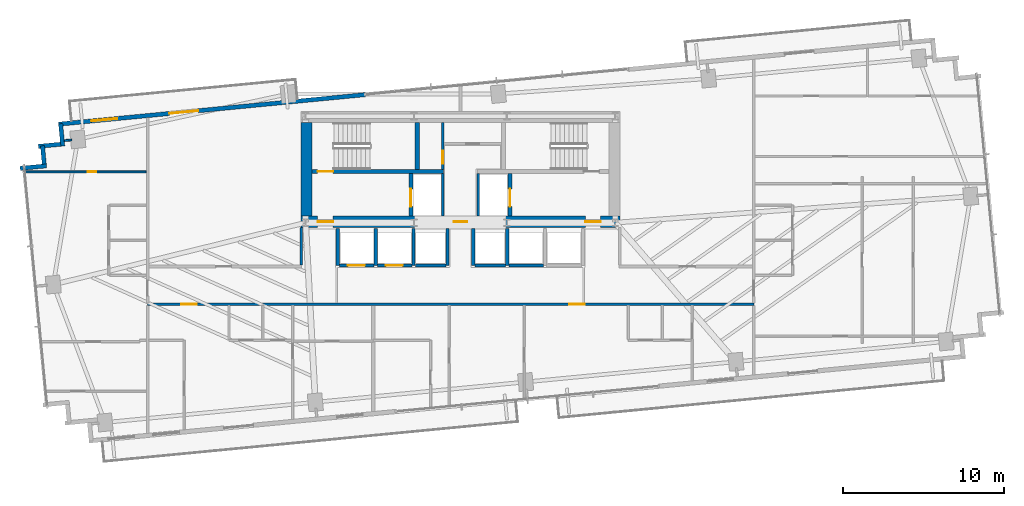
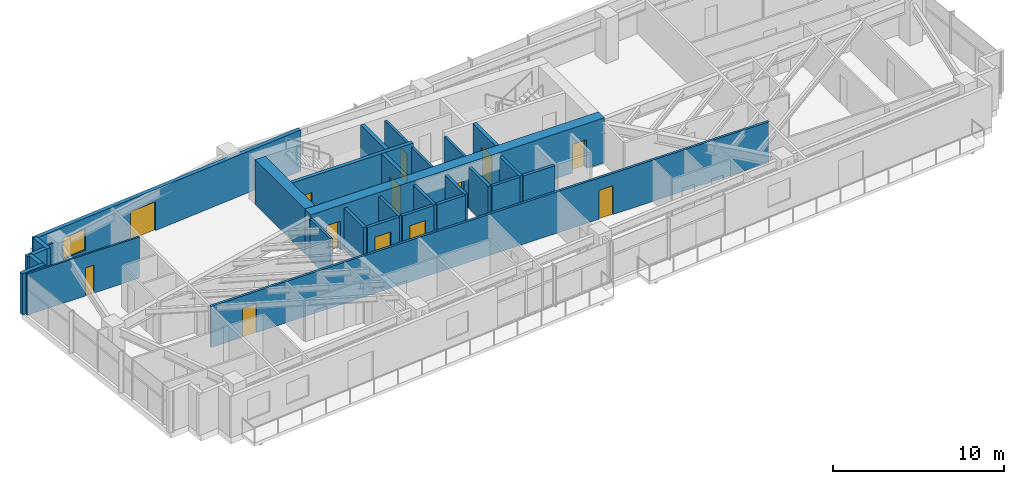
# One storey, part 20 of 25: 29 walls, 13 doors, 1 window, 14 openings.
"""IFC4 building model written with IfcOpenShell, lengths in metres."""

from ifc_helpers import new_model, si_unit, direction, frame, frame_2d, origin, place, context, subcontext, project, spatial, rectangle, extrude, source, transform, mapped, material, layer, layer_set, type_object, type_shapes, element, fill, save


model = new_model("IFC4")

# Units and contexts
model_context = context("Model", 3, precision=1e-05, world=origin(), true_north=direction((0.0, 1.0)))
body_context = subcontext(model_context, "Body", "Model", "MODEL_VIEW")
ifc_project = project(units=[si_unit("LENGTHUNIT", "METRE"), si_unit("AREAUNIT", "SQUARE_METRE"), si_unit("VOLUMEUNIT", "CUBIC_METRE"), si_unit("PLANEANGLEUNIT", "RADIAN"), si_unit("MASSUNIT", "GRAM", prefix="KILO")], contexts=[model_context])

# Site, building, storey
site_placement = place(None, origin())
site = spatial("IfcSite", under=ifc_project, at=site_placement, CompositionType="ELEMENT")
building_placement = place(site_placement, origin())
building = spatial("IfcBuilding", under=site, at=building_placement, Name="Astriad Promenade Condominiums", CompositionType="ELEMENT")
storey_placement = place(building_placement, frame((0.0, 0.0, 77.800048828125)))
storey = spatial("IfcBuildingStorey", under=building, at=storey_placement, Name="L21", CompositionType="ELEMENT", Elevation=77.800048828125)

# Wall, openings, doors
ifc_material_1 = material(Name="Concrete C60/75", Category="concrete")
ifc_layer_1 = layer(ifc_material_1, 0.699951171875)
ifc_layer_set_1 = layer_set([ifc_layer_1], Name="Concrete C60/75")
wall_type_1 = type_object("IfcWallType", Name="CW-SHEAR-700", PredefinedType="SHEAR", material=ifc_layer_set_1)
wall_1_placement = place(storey_placement, frame((26.10009765625, 17.449951171875, 0.0), z_axis=(0.0, 0.0, 1.0), x_axis=(1.0, 0.0, 0.0)))
wall_1 = element("IfcWall", 1, at=wall_1_placement, inside=storey, type_object=wall_type_1, Name="CW-CORE-S-L21", PredefinedType="SHEAR", context=body_context, shape_type="SweptSolid", body=[
    extrude(rectangle(XDim=19.7998046875, YDim=0.699951171875, at=frame_2d((9.89990234375, 0.0))), origin(), (0.0, 0.0, 1.0), 3.199951171875),
])
opening_1_placement = place(wall_1_placement, frame((1.050048828125, 0.0, 0.0)))
opening_1 = element("IfcOpeningElement", 2, at=opening_1_placement, cuts=wall_1, Name="Opening FD90-ST-095", PredefinedType="OPENING", context=body_context, shape_type="SweptSolid", body=[
    extrude(rectangle(XDim=0.949951171875, YDim=2.06005859375, at=frame_2d((0.47509765625, 1.030029296875))), frame((0.0, 0.35986328125, 0.0), z_axis=(0.0, -1.0, 0.0), x_axis=(1.0, 0.0, 0.0)), (0.0, 0.0, 1.0), 0.719970703125),
])
opening_2_placement = place(wall_1_placement, frame((9.47998046875, 0.0, 0.0)))
opening_2 = element("IfcOpeningElement", 3, at=opening_2_placement, cuts=wall_1, Name="Opening FD60-ULOW-085", PredefinedType="OPENING", context=body_context, shape_type="SweptSolid", body=[
    extrude(rectangle(XDim=0.85009765625, YDim=2.0, at=frame_2d((0.425048828125, 1.0))), frame((0.0, 0.35986328125, 0.0), z_axis=(0.0, -1.0, 0.0), x_axis=(1.0, 0.0, 0.0)), (0.0, 0.0, 1.0), 0.719970703125),
])
opening_3_placement = place(wall_1_placement, frame((17.64990234375, 0.0, 0.0)))
opening_3 = element("IfcOpeningElement", 4, at=opening_3_placement, cuts=wall_1, Name="Opening FD90-ST-095", PredefinedType="OPENING", context=body_context, shape_type="SweptSolid", body=[
    extrude(rectangle(XDim=0.949951171875, YDim=2.06005859375, at=frame_2d((0.47509765625, 1.030029296875))), frame((0.0, 0.35986328125, 0.0), z_axis=(0.0, -1.0, 0.0), x_axis=(1.0, 0.0, 0.0)), (0.0, 0.0, 1.0), 0.719970703125),
])
ifc_material_2 = material(Name="Fire-Rated Hollow Metal Stair Door")
door_type_1 = type_object("IfcDoorType", Name="FD90-ST-095", OperationType="NOTDEFINED", PredefinedType="DOOR", material=ifc_material_2)
shared_shape_1 = source(origin(), body_context, "Body", "SweptSolid", [
    extrude(rectangle(XDim=0.949951171875, YDim=2.06005859375, at=frame_2d((0.47509765625, 1.030029296875))), frame((0.0, 0.02490234375, 0.0), z_axis=(0.0, -1.0, 0.0), x_axis=(1.0, 0.0, 0.0)), (0.0, 0.0, 1.0), 0.050048828125),
])
type_shapes(door_type_1, [shared_shape_1])
door_1_placement = place(opening_1_placement, origin())
door_1 = element("IfcDoor", 5, at=door_1_placement, inside=storey, type_object=door_type_1, Name="D-FFW-L21", OperationType="SINGLE_SWING_LEFT", OverallHeight=2.06005859375, OverallWidth=0.949951171875, PredefinedType="DOOR", context=body_context, shape_type="MappedRepresentation", body=[
    mapped(shared_shape_1, transform((0.0, 0.0, 0.0), scale=1.0)),
])
fill(opening_1, door_1)
door_2_placement = place(opening_3_placement, origin())
door_2 = element("IfcDoor", 6, at=door_2_placement, inside=storey, type_object=door_type_1, Name="D-FFE-L21", OperationType="SINGLE_SWING_RIGHT", OverallHeight=2.06005859375, OverallWidth=0.949951171875, PredefinedType="DOOR", context=body_context, shape_type="MappedRepresentation", body=[
    mapped(shared_shape_1, transform((0.0, 0.0, 0.0), scale=1.0)),
])
fill(opening_3, door_2)
ifc_material_3 = material(Name="Solid-Core Low-Headroom Fire Door")
door_type_2 = type_object("IfcDoorType", Name="FD60-ULOW-085", OperationType="NOTDEFINED", PredefinedType="DOOR", material=ifc_material_3)
shared_shape_2 = source(origin(), body_context, "Body", "SweptSolid", [
    extrude(rectangle(XDim=0.85009765625, YDim=2.0, at=frame_2d((0.425048828125, 1.0))), frame((0.0, 0.02490234375, 0.0), z_axis=(0.0, -1.0, 0.0), x_axis=(1.0, 0.0, 0.0)), (0.0, 0.0, 1.0), 0.050048828125),
])
type_shapes(door_type_2, [shared_shape_2])
door_3_placement = place(opening_2_placement, origin())
door_3 = element("IfcDoor", 7, at=door_3_placement, inside=storey, type_object=door_type_2, Name="D-CSL-L21", OperationType="SINGLE_SWING_RIGHT", OverallHeight=2.0, OverallWidth=0.85009765625, PredefinedType="DOOR", context=body_context, shape_type="MappedRepresentation", body=[
    mapped(shared_shape_2, transform((0.0, 0.0, 0.0), scale=1.0)),
])
fill(opening_2, door_3)

# Wall
wall_2_placement = place(storey_placement, frame((26.449951171875, 17.802001953125, 0.0), z_axis=(0.0, 0.0, 1.0), x_axis=(0.0, 1.0, 0.0)))
element("IfcWall", 8, at=wall_2_placement, inside=storey, type_object=wall_type_1, Name="CW-CORE-W-L21", PredefinedType="SHEAR", context=body_context, shape_type="SweptSolid", body=[
    extrude(rectangle(XDim=5.7958984375, YDim=0.699951171875, at=frame_2d((2.89794921875, 0.0))), origin(), (0.0, 0.0, 1.0), 3.199951171875),
])

# Wall, opening, door
ifc_material_4 = material(Name="Concrete C50/60", Category="concrete")
ifc_layer_2 = layer(ifc_material_4, 0.25)
ifc_layer_set_2 = layer_set([ifc_layer_2], Name="Concrete C50/60")
wall_type_2 = type_object("IfcWallType", Name="WALL-CORE-INT-250", PredefinedType="SOLIDWALL", material=ifc_layer_set_2)
wall_3_placement = place(storey_placement, frame((26.802001953125, 20.574951171875, 0.0), z_axis=(0.0, 0.0, 1.0), x_axis=(1.0, 0.0, 0.0)))
wall_3 = element("IfcWall", 9, at=wall_3_placement, inside=storey, type_object=wall_type_2, Name="CW-INT-H1-L21", PredefinedType="SOLIDWALL", context=body_context, shape_type="SweptSolid", body=[
    extrude(rectangle(XDim=8.14794921875, YDim=0.25, at=frame_2d((4.073974609375, 0.0))), origin(), (0.0, 0.0, 1.0), 3.199951171875),
])
opening_4_placement = place(wall_3_placement, frame((0.347900390625, 0.0, 0.0)))
opening_4 = element("IfcOpeningElement", 10, at=opening_4_placement, cuts=wall_3, Name="Opening FD90-ST-095", PredefinedType="OPENING", context=body_context, shape_type="SweptSolid", body=[
    extrude(rectangle(XDim=0.949951171875, YDim=2.06005859375, at=frame_2d((0.47509765625, 1.030029296875))), frame((0.0, 0.135009765625, 0.0), z_axis=(0.0, -1.0, 0.0), x_axis=(1.0, 0.0, 0.0)), (0.0, 0.0, 1.0), 0.27001953125),
])
door_4_placement = place(opening_4_placement, origin())
door_4 = element("IfcDoor", 11, at=door_4_placement, inside=storey, type_object=door_type_1, Name="D-ST1-L21", OperationType="SINGLE_SWING_RIGHT", OverallHeight=2.06005859375, OverallWidth=0.949951171875, PredefinedType="DOOR", context=body_context, shape_type="MappedRepresentation", body=[
    mapped(shared_shape_1, transform((0.0, 0.0, 0.0), scale=1.0)),
])
fill(opening_4, door_4)

# Wall
wall_4_placement = place(storey_placement, frame((33.324951171875, 20.701904296875, 0.0), z_axis=(0.0, 0.0, 1.0), x_axis=(0.0, 1.0, 0.0)))
element("IfcWall", 12, at=wall_4_placement, inside=storey, type_object=wall_type_2, Name="CW-ST1-E-L21", PredefinedType="SOLIDWALL", context=body_context, shape_type="SweptSolid", body=[
    extrude(rectangle(XDim=2.89599609375, YDim=0.25, at=frame_2d((1.447998046875, 0.0))), origin(), (0.0, 0.0, 1.0), 3.199951171875),
])

# Wall, opening, door
wall_5_placement = place(storey_placement, frame((32.925048828125, 17.802001953125, 0.0), z_axis=(0.0, 0.0, 1.0), x_axis=(0.0, 1.0, 0.0)))
wall_5 = element("IfcWall", 13, at=wall_5_placement, inside=storey, type_object=wall_type_2, Name="CW-FFL1-W-L21", PredefinedType="SOLIDWALL", context=body_context, shape_type="SweptSolid", body=[
    extrude(rectangle(XDim=2.64599609375, YDim=0.25, at=frame_2d((1.322998046875, 0.0))), origin(), (0.0, 0.0, 1.0), 3.199951171875),
])
opening_5_placement = place(wall_5_placement, frame((0.597900390625, 0.0, 0.0)))
opening_5 = element("IfcOpeningElement", 14, at=opening_5_placement, cuts=wall_5, Name="Opening LD-FFL-1122", PredefinedType="OPENING", context=body_context, shape_type="SweptSolid", body=[
    extrude(rectangle(XDim=1.10009765625, YDim=2.080078125, at=frame_2d((0.550048828125, 1.0400390625))), frame((0.0, 0.135009765625, 0.0), z_axis=(0.0, -1.0, 0.0), x_axis=(1.0, 0.0, 0.0)), (0.0, 0.0, 1.0), 0.27001953125),
])
ifc_material_5 = material(Name="Brushed Stainless Steel Fire Elevator Landing Door", Category="steel")
door_type_3 = type_object("IfcDoorType", Name="LD-FFL-1122", OperationType="NOTDEFINED", PredefinedType="DOOR", material=ifc_material_5)
shared_shape_3 = source(origin(), body_context, "Body", "SweptSolid", [
    extrude(rectangle(XDim=1.10009765625, YDim=2.080078125, at=frame_2d((0.550048828125, 1.0400390625))), frame((0.0, 0.02490234375, 0.0), z_axis=(0.0, -1.0, 0.0), x_axis=(1.0, 0.0, 0.0)), (0.0, 0.0, 1.0), 0.050048828125),
])
type_shapes(door_type_3, [shared_shape_3])
door_5_placement = place(opening_5_placement, origin())
door_5 = element("IfcDoor", 15, at=door_5_placement, inside=storey, type_object=door_type_3, Name="Elevator Landing Door FFL-1 (L21)", OperationType="SLIDING_TO_LEFT", OverallHeight=2.080078125, OverallWidth=1.10009765625, PredefinedType="DOOR", context=body_context, shape_type="MappedRepresentation", body=[
    mapped(shared_shape_3, transform((0.0, 0.0, 0.0), scale=1.0)),
])
fill(opening_5, door_5)

wall_6_placement = place(storey_placement, frame((39.074951171875, 17.802001953125, 0.0), z_axis=(0.0, 0.0, 1.0), x_axis=(0.0, 1.0, 0.0)))
wall_6 = element("IfcWall", 16, at=wall_6_placement, inside=storey, type_object=wall_type_2, Name="CW-FFL2-E-L21", PredefinedType="SOLIDWALL", context=body_context, shape_type="SweptSolid", body=[
    extrude(rectangle(XDim=2.64599609375, YDim=0.25, at=frame_2d((1.322998046875, 0.0))), origin(), (0.0, 0.0, 1.0), 3.199951171875),
])
opening_6_placement = place(wall_6_placement, frame((0.597900390625, 0.0, 0.0)))
opening_6 = element("IfcOpeningElement", 17, at=opening_6_placement, cuts=wall_6, Name="Opening LD-FFL-1122", PredefinedType="OPENING", context=body_context, shape_type="SweptSolid", body=[
    extrude(rectangle(XDim=1.10009765625, YDim=2.080078125, at=frame_2d((0.550048828125, 1.0400390625))), frame((0.0, 0.135009765625, 0.0), z_axis=(0.0, -1.0, 0.0), x_axis=(1.0, 0.0, 0.0)), (0.0, 0.0, 1.0), 0.27001953125),
])
door_6_placement = place(opening_6_placement, origin())
door_6 = element("IfcDoor", 18, at=door_6_placement, inside=storey, type_object=door_type_3, Name="Elevator Landing Door FFL-2 (L21)", OperationType="SLIDING_TO_RIGHT", OverallHeight=2.080078125, OverallWidth=1.10009765625, PredefinedType="DOOR", context=body_context, shape_type="MappedRepresentation", body=[
    mapped(shared_shape_3, transform((0.0, 0.0, 0.0), scale=1.0)),
])
fill(opening_6, door_6)

# Walls
ifc_material_6 = material(Name="Fire-Rated Gypsum Partition")
ifc_layer_3 = layer(ifc_material_6, 0.159912109375)
ifc_layer_set_3 = layer_set([ifc_layer_3], Name="Fire-Rated Gypsum Partition")
wall_type_3 = type_object("IfcWallType", Name="WALL-CORR-160", PredefinedType="PARTITIONING", material=ifc_layer_set_3)
for number, where, z_axis, x_axis, name in (
    (19, (34.89990234375, 17.802001953125, 0.0), (0.0, 0.0, 1.0), (0.0, 1.0, 0.0), "CW-FFL1-E-L21"),
    (20, (37.10009765625, 17.802001953125, 0.0), (0.0, 0.0, 1.0), (0.0, 1.0, 0.0), "CW-FFL2-W-L21"),
):
    element("IfcWall", number, at=place(storey_placement, frame(where, z_axis=z_axis, x_axis=x_axis)), inside=storey, type_object=wall_type_3, Name=name, PredefinedType="PARTITIONING", context=body_context, shape_type="SweptSolid", body=[
        extrude(rectangle(XDim=2.64599609375, YDim=0.159912109375, at=frame_2d((1.322998046875, 0.0))), origin(), (0.0, 0.0, 1.0), 2.93994140625),
    ])

# Wall, opening, door
wall_7_placement = place(storey_placement, frame((34.89990234375, 20.701904296875, 0.0), z_axis=(0.0, 0.0, 1.0), x_axis=(0.0, 1.0, 0.0)))
wall_7 = element("IfcWall", 21, at=wall_7_placement, inside=storey, type_object=wall_type_3, Name="CW-AUX-W-L21", PredefinedType="PARTITIONING", context=body_context, shape_type="SweptSolid", body=[
    extrude(rectangle(XDim=2.89599609375, YDim=0.159912109375, at=frame_2d((1.447998046875, 0.0))), origin(), (0.0, 0.0, 1.0), 2.93994140625),
])
opening_7_placement = place(wall_7_placement, frame((0.347900390625, 0.0, 0.0)))
opening_7 = element("IfcOpeningElement", 22, at=opening_7_placement, cuts=wall_7, Name="Opening FD60-SV-080", PredefinedType="OPENING", context=body_context, shape_type="SweptSolid", body=[
    extrude(rectangle(XDim=0.800048828125, YDim=2.050048828125, at=frame_2d((0.39990234375, 1.02490234375))), frame((0.0, 0.08984375, 0.0), z_axis=(0.0, -1.0, 0.0), x_axis=(1.0, 0.0, 0.0)), (0.0, 0.0, 1.0), 0.179931640625),
])
ifc_material_7 = material(Name="Fire-Rated Riser Closet Door")
door_type_4 = type_object("IfcDoorType", Name="FD60-SV-080", OperationType="NOTDEFINED", PredefinedType="DOOR", material=ifc_material_7)
shared_shape_4 = source(origin(), body_context, "Body", "SweptSolid", [
    extrude(rectangle(XDim=0.800048828125, YDim=2.050048828125, at=frame_2d((0.39990234375, 1.02490234375))), frame((0.0, 0.02490234375, 0.0), z_axis=(0.0, -1.0, 0.0), x_axis=(1.0, 0.0, 0.0)), (0.0, 0.0, 1.0), 0.050048828125),
])
type_shapes(door_type_4, [shared_shape_4])
door_7_placement = place(opening_7_placement, origin())
door_7 = element("IfcDoor", 23, at=door_7_placement, inside=storey, type_object=door_type_4, Name="D-AUX1-L21", OperationType="SINGLE_SWING_RIGHT", OverallHeight=2.050048828125, OverallWidth=0.800048828125, PredefinedType="DOOR", context=body_context, shape_type="MappedRepresentation", body=[
    mapped(shared_shape_4, transform((0.0, 0.0, 0.0), scale=1.0)),
])
fill(opening_7, door_7)

# Wall, openings, doors
wall_8_placement = place(storey_placement, frame((16.60009765625, 12.35009765625, 0.0), z_axis=(0.0, 0.0, 1.0), x_axis=(1.0, 0.0, 0.0)))
wall_8 = element("IfcWall", 24, at=wall_8_placement, inside=storey, type_object=wall_type_3, Name="PT-COR-S-L21", PredefinedType="PARTITIONING", context=body_context, shape_type="SweptSolid", body=[
    extrude(rectangle(XDim=37.599853515625, YDim=0.159912109375, at=frame_2d((18.7998046875, 0.0))), origin(), (0.0, 0.0, 1.0), 2.93994140625),
])
opening_8_placement = place(wall_8_placement, frame((2.091064453125, 0.0, 0.0)))
opening_8 = element("IfcOpeningElement", 25, at=opening_8_placement, cuts=wall_8, Name="Opening FD60-APT-095", PredefinedType="OPENING", context=body_context, shape_type="SweptSolid", body=[
    extrude(rectangle(XDim=0.949951171875, YDim=2.06005859375, at=frame_2d((0.47509765625, 1.030029296875))), frame((0.0, 0.08984375, 0.0), z_axis=(0.0, -1.0, 0.0), x_axis=(1.0, 0.0, 0.0)), (0.0, 0.0, 1.0), 0.179931640625),
])
opening_9_placement = place(wall_8_placement, frame((26.14599609375, 0.0, 0.0)))
opening_9 = element("IfcOpeningElement", 26, at=opening_9_placement, cuts=wall_8, Name="Opening FD60-APT-095", PredefinedType="OPENING", context=body_context, shape_type="SweptSolid", body=[
    extrude(rectangle(XDim=0.949951171875, YDim=2.06005859375, at=frame_2d((0.47509765625, 1.030029296875))), frame((0.0, 0.08984375, 0.0), z_axis=(0.0, -1.0, 0.0), x_axis=(1.0, 0.0, 0.0)), (0.0, 0.0, 1.0), 0.179931640625),
])
ifc_material_8 = material(Name="Solid-Core Acoustic Timber Residence Entry Door", Category="wood")
door_type_5 = type_object("IfcDoorType", Name="FD60-APT-095", OperationType="NOTDEFINED", PredefinedType="DOOR", material=ifc_material_8)
shared_shape_5 = source(origin(), body_context, "Body", "SweptSolid", [
    extrude(rectangle(XDim=0.949951171875, YDim=2.06005859375, at=frame_2d((0.47509765625, 1.030029296875))), frame((0.0, 0.02490234375, 0.0), z_axis=(0.0, -1.0, 0.0), x_axis=(1.0, 0.0, 0.0)), (0.0, 0.0, 1.0), 0.050048828125),
])
type_shapes(door_type_5, [shared_shape_5])
door_8_placement = place(opening_8_placement, origin())
door_8 = element("IfcDoor", 27, at=door_8_placement, inside=storey, type_object=door_type_5, Name="D-ENT-L21-S1", OperationType="SINGLE_SWING_RIGHT", OverallHeight=2.06005859375, OverallWidth=0.949951171875, PredefinedType="DOOR", context=body_context, shape_type="MappedRepresentation", body=[
    mapped(shared_shape_5, transform((0.0, 0.0, 0.0), scale=1.0)),
])
fill(opening_8, door_8)
door_9_placement = place(opening_9_placement, origin())
door_9 = element("IfcDoor", 28, at=door_9_placement, inside=storey, type_object=door_type_5, Name="D-ENT-L21-S2", OperationType="SINGLE_SWING_LEFT", OverallHeight=2.06005859375, OverallWidth=0.949951171875, PredefinedType="DOOR", context=body_context, shape_type="MappedRepresentation", body=[
    mapped(shared_shape_5, transform((0.0, 0.0, 0.0), scale=1.0)),
])
fill(opening_9, door_9)

# Walls
wall_9_placement = place(storey_placement, frame((26.1201171875, 14.761962890625, 0.0), z_axis=(0.0, 0.0, 1.0), x_axis=(0.0, 1.0, 0.0)))
element("IfcWall", 29, at=wall_9_placement, inside=storey, type_object=wall_type_3, Name="PT-WSPUR-W-L21", PredefinedType="PARTITIONING", context=body_context, shape_type="SweptSolid", body=[
    extrude(rectangle(XDim=2.3359375, YDim=0.159912109375, at=frame_2d((1.16796875, 0.0))), origin(), (0.0, 0.0, 1.0), 2.93994140625),
])
ifc_material_9 = material(Name="Precast concrete C50/60", Category="concrete")
ifc_layer_4 = layer(ifc_material_9, 0.260009765625)
ifc_layer_set_4 = layer_set([ifc_layer_4], Name="Precast concrete C50/60")
wall_type_4 = type_object("IfcWallType", Name="WALL-EXT-TWR-260", PredefinedType="STANDARD", material=ifc_layer_set_4)
wall_10_placement = place(storey_placement, frame((8.701416015625, 20.767333984375, 0.0), z_axis=(0.0, 0.0, 1.0), x_axis=(0.995394563142, 0.095862733462, 0.0)))
element("IfcWall", 30, at=wall_10_placement, inside=storey, type_object=wall_type_4, Name="W-SER-L21-04", PredefinedType="STANDARD", context=body_context, shape_type="SweptSolid", body=[
    extrude(rectangle(XDim=1.64013671875, YDim=0.260009765625, at=frame_2d((0.820068359375, 0.0))), origin(), (0.0, 0.0, 1.0), 2.93994140625),
])
wall_11_placement = place(storey_placement, frame((10.193359375, 21.026611328125, 0.0), z_axis=(0.0, 0.0, 1.0), x_axis=(-0.095740721699, 0.995406306092, 0.0)))
element("IfcWall", 31, at=wall_11_placement, inside=storey, type_object=wall_type_4, Name="W-SER-L21-05", PredefinedType="STANDARD", context=body_context, shape_type="SweptSolid", body=[
    extrude(rectangle(XDim=1.150146484375, YDim=0.260009765625, at=frame_2d((0.5751953125, 0.0))), origin(), (0.0, 0.0, 1.0), 2.93994140625),
])
wall_12_placement = place(storey_placement, frame((9.825927734375, 22.13134765625, 0.0), z_axis=(0.0, 0.0, 1.0), x_axis=(0.995389446633, 0.095915846097, 0.0)))
element("IfcWall", 32, at=wall_12_placement, inside=storey, type_object=wall_type_4, Name="W-SER-L21-06", PredefinedType="STANDARD", context=body_context, shape_type="SweptSolid", body=[
    extrude(rectangle(XDim=1.394775390625, YDim=0.260009765625, at=frame_2d((0.697265625, 0.0))), origin(), (0.0, 0.0, 1.0), 2.93994140625),
])
wall_13_placement = place(storey_placement, frame((11.34130859375, 22.146728515625, 0.0), z_axis=(0.0, 0.0, 1.0), x_axis=(-0.09589913835, 0.995391056452, 0.0)))
element("IfcWall", 33, at=wall_13_placement, inside=storey, type_object=wall_type_4, Name="W-SER-L21-07", PredefinedType="STANDARD", context=body_context, shape_type="SweptSolid", body=[
    extrude(rectangle(XDim=1.39501953125, YDim=0.260009765625, at=frame_2d((0.697509765625, 0.0))), origin(), (0.0, 0.0, 1.0), 2.93994140625),
])

# Wall, openings, door, window
wall_14_placement = place(storey_placement, frame((11.07958984375, 23.508056640625, 0.0), z_axis=(0.0, 0.0, 1.0), x_axis=(0.995396638587, 0.095841180552, 0.0)))
wall_14 = element("IfcWall", 34, at=wall_14_placement, inside=storey, type_object=wall_type_4, Name="W-EXT-L21-N1", PredefinedType="STANDARD", context=body_context, shape_type="SweptSolid", body=[
    extrude(rectangle(XDim=19.110107421875, YDim=0.260009765625, at=frame_2d((9.55517578125, 0.0))), origin(), (0.0, 0.0, 1.0), 2.93994140625),
])
opening_10_placement = place(wall_14_placement, frame((6.89599609375, 0.0, 0.0)))
opening_10 = element("IfcOpeningElement", 35, at=opening_10_placement, cuts=wall_14, Name="Opening BD-1822-SLD", PredefinedType="OPENING", context=body_context, shape_type="SweptSolid", body=[
    extrude(rectangle(XDim=1.800048828125, YDim=2.06005859375, at=frame_2d((0.89990234375, 1.030029296875))), frame((0.0, 0.139892578125, 0.0), z_axis=(0.0, -1.0, 0.0), x_axis=(1.0, 0.0, 0.0)), (0.0, 0.0, 1.0), 0.280029296875),
])
opening_11_placement = place(wall_14_placement, frame((2.050048828125, 0.0, 0.64990234375)))
opening_11 = element("IfcOpeningElement", 36, at=opening_11_placement, cuts=wall_14, Name="Opening WIN-TWR-1620", PredefinedType="OPENING", context=body_context, shape_type="SweptSolid", body=[
    extrude(rectangle(XDim=1.60009765625, YDim=1.5, at=frame_2d((0.800048828125, 0.75))), frame((0.0, 0.139892578125, 0.0), z_axis=(0.0, -1.0, 0.0), x_axis=(1.0, 0.0, 0.0)), (0.0, 0.0, 1.0), 0.280029296875),
])
ifc_material_10 = material(Name="Thermally Broken Aluminium Sliding Balcony Door", Category="aluminium")
door_type_6 = type_object("IfcDoorType", Name="BD-1822-SLD", OperationType="NOTDEFINED", PredefinedType="DOOR", material=ifc_material_10)
shared_shape_6 = source(origin(), body_context, "Body", "SweptSolid", [
    extrude(rectangle(XDim=1.800048828125, YDim=2.06005859375, at=frame_2d((0.89990234375, 1.030029296875))), frame((0.0, 0.02490234375, 0.0), z_axis=(0.0, -1.0, 0.0), x_axis=(1.0, 0.0, 0.0)), (0.0, 0.0, 1.0), 0.050048828125),
])
type_shapes(door_type_6, [shared_shape_6])
door_10_placement = place(opening_10_placement, origin())
door_10 = element("IfcDoor", 37, at=door_10_placement, inside=storey, type_object=door_type_6, Name="BD-L21-NW", OperationType="SLIDING_TO_LEFT", OverallHeight=2.06005859375, OverallWidth=1.800048828125, PredefinedType="DOOR", context=body_context, shape_type="MappedRepresentation", body=[
    mapped(shared_shape_6, transform((0.0, 0.0, 0.0), scale=1.0)),
])
fill(opening_10, door_10)
ifc_material_11 = material(Name="Dark Tinted Triple-Glazed Aluminium Window", Category="aluminium")
window_type = type_object("IfcWindowType", Name="WIN-TWR-1620", PartitioningType="SINGLE_PANEL", PredefinedType="WINDOW", material=ifc_material_11)
shared_shape_7 = source(origin(), body_context, "Body", "SweptSolid", [
    extrude(rectangle(XDim=1.60009765625, YDim=1.5, at=frame_2d((0.800048828125, 0.75))), frame((0.0, 0.030029296875, 0.0), z_axis=(0.0, -1.0, 0.0), x_axis=(1.0, 0.0, 0.0)), (0.0, 0.0, 1.0), 0.06005859375),
])
type_shapes(window_type, [shared_shape_7])
window_placement = place(opening_11_placement, origin())
window = element("IfcWindow", 38, at=window_placement, inside=storey, type_object=window_type, Name="WIN-L21-NW", OverallHeight=1.5, OverallWidth=1.60009765625, PartitioningType="SINGLE_PANEL", PredefinedType="WINDOW", context=body_context, shape_type="MappedRepresentation", body=[
    mapped(shared_shape_7, transform((0.0, 0.0, 0.0), scale=1.0)),
])
fill(opening_11, window)

# Wall, opening, door
ifc_material_12 = material(Name="Acoustic Metal-Stud Gypsum Partition")
ifc_layer_5 = layer(ifc_material_12, 0.1201171875)
ifc_layer_set_5 = layer_set([ifc_layer_5], Name="Acoustic Metal-Stud Gypsum Partition")
wall_type_5 = type_object("IfcWallType", Name="WALL-PART-120", PredefinedType="PARTITIONING", material=ifc_layer_set_5)
wall_15_placement = place(storey_placement, frame((8.93310546875, 20.552001953125, 0.0), z_axis=(0.0, 0.0, 1.0), x_axis=(1.0, 0.0, 0.0)))
wall_15 = element("IfcWall", 39, at=wall_15_placement, inside=storey, type_object=wall_type_5, Name="PT-L21-W1-B1", PredefinedType="PARTITIONING", context=body_context, shape_type="SweptSolid", body=[
    extrude(rectangle(XDim=7.5849609375, YDim=0.1201171875, at=frame_2d((3.79248046875, 0.0))), origin(), (0.0, 0.0, 1.0), 2.93994140625),
])
opening_12_placement = place(wall_15_placement, frame((3.94384765625, 0.0, 0.0)))
opening_12 = element("IfcOpeningElement", 40, at=opening_12_placement, cuts=wall_15, Name="Opening D-AC-055", PredefinedType="OPENING", context=body_context, shape_type="SweptSolid", body=[
    extrude(rectangle(XDim=0.550048828125, YDim=2.0, at=frame_2d((0.27490234375, 1.0))), frame((0.0, 0.070068359375, 0.0), z_axis=(0.0, -1.0, 0.0), x_axis=(1.0, 0.0, 0.0)), (0.0, 0.0, 1.0), 0.14013671875),
])
ifc_material_13 = material(Name="Painted Timber Access Door", Category="wood")
door_type_7 = type_object("IfcDoorType", Name="D-AC-055", OperationType="NOTDEFINED", PredefinedType="DOOR", material=ifc_material_13)
shared_shape_8 = source(origin(), body_context, "Body", "SweptSolid", [
    extrude(rectangle(XDim=0.550048828125, YDim=2.0, at=frame_2d((0.27490234375, 1.0))), frame((0.0, 0.02490234375, 0.0), z_axis=(0.0, -1.0, 0.0), x_axis=(1.0, 0.0, 0.0)), (0.0, 0.0, 1.0), 0.050048828125),
])
type_shapes(door_type_7, [shared_shape_8])
door_11_placement = place(opening_12_placement, origin())
door_11 = element("IfcDoor", 41, at=door_11_placement, inside=storey, type_object=door_type_7, Name="D-BD1-L21-W1", OperationType="SINGLE_SWING_RIGHT", OverallHeight=2.0, OverallWidth=0.550048828125, PredefinedType="DOOR", context=body_context, shape_type="MappedRepresentation", body=[
    mapped(shared_shape_8, transform((0.0, 0.0, 0.0), scale=1.0)),
])
fill(opening_12, door_11)

# Walls
wall_16_placement = place(storey_placement, frame((11.89697265625, 22.53173828125, 0.0), z_axis=(0.0, 0.0, 1.0), x_axis=(-0.995384576284, -0.09596637586, 0.0)))
element("IfcWall", 42, at=wall_16_placement, inside=storey, type_object=wall_type_5, Name="PT-PIL-L21-PC06-13", PredefinedType="PARTITIONING", context=body_context, shape_type="SweptSolid", body=[
    extrude(rectangle(XDim=0.4580078125, YDim=0.1201171875, at=frame_2d((0.22900390625, 0.0))), origin(), (0.0, 0.0, 1.0), 2.93994140625),
])
ifc_material_14 = material(Name="Gypsum Shaftliner Assembly")
ifc_layer_6 = layer(ifc_material_14, 0.199951171875)
ifc_layer_set_6 = layer_set([ifc_layer_6], Name="Gypsum Shaftliner Assembly")
wall_type_6 = type_object("IfcWallType", Name="WALL-SHAFT-200", PredefinedType="PARTITIONING", material=ifc_layer_set_6)
for number, where, z_axis, x_axis, name in (
    (43, (28.39990234375, 14.75, 0.0), (0.0, 0.0, 1.0), (0.0, 1.0, 0.0), "PL-W-OUT-L21"),
    (44, (30.75, 14.75, 0.0), (0.0, 0.0, 1.0), (0.0, 1.0, 0.0), "PL-L-DIV-L21"),
    (45, (33.10009765625, 14.75, 0.0), (0.0, 0.0, 1.0), (0.0, 1.0, 0.0), "PL-LM-DIV-L21"),
):
    element("IfcWall", number, at=place(storey_placement, frame(where, z_axis=z_axis, x_axis=x_axis)), inside=storey, type_object=wall_type_6, Name=name, PredefinedType="PARTITIONING", context=body_context, shape_type="SweptSolid", body=[
        extrude(rectangle(XDim=2.300048828125, YDim=0.199951171875, at=frame_2d((1.14990234375, 0.0))), origin(), (0.0, 0.0, 1.0), 2.93994140625),
    ])

# Wall, opening, door
wall_17_placement = place(storey_placement, frame((28.501953125, 14.75, 0.0), z_axis=(0.0, 0.0, 1.0), x_axis=(1.0, 0.0, 0.0)))
wall_17 = element("IfcWall", 46, at=wall_17_placement, inside=storey, type_object=wall_type_6, Name="PL-L-FRT-L21", PredefinedType="PARTITIONING", context=body_context, shape_type="SweptSolid", body=[
    extrude(rectangle(XDim=2.14599609375, YDim=0.199951171875, at=frame_2d((1.072998046875, 0.0))), origin(), (0.0, 0.0, 1.0), 2.93994140625),
])
opening_13_placement = place(wall_17_placement, frame((0.52294921875, 0.0, 0.0)))
opening_13 = element("IfcOpeningElement", 47, at=opening_13_placement, cuts=wall_17, Name="Opening LD-PL-10522", PredefinedType="OPENING", context=body_context, shape_type="SweptSolid", body=[
    extrude(rectangle(XDim=1.050048828125, YDim=2.080078125, at=frame_2d((0.52490234375, 1.0400390625))), frame((0.0, 0.10986328125, 0.0), z_axis=(0.0, -1.0, 0.0), x_axis=(1.0, 0.0, 0.0)), (0.0, 0.0, 1.0), 0.219970703125),
])
ifc_material_15 = material(Name="Brushed Bronze Passenger Elevator Landing Door")
door_type_8 = type_object("IfcDoorType", Name="LD-PL-10522", OperationType="NOTDEFINED", PredefinedType="DOOR", material=ifc_material_15)
shared_shape_9 = source(origin(), body_context, "Body", "SweptSolid", [
    extrude(rectangle(XDim=1.050048828125, YDim=2.080078125, at=frame_2d((0.52490234375, 1.0400390625))), frame((0.0, 0.02490234375, 0.0), z_axis=(0.0, -1.0, 0.0), x_axis=(1.0, 0.0, 0.0)), (0.0, 0.0, 1.0), 0.050048828125),
])
type_shapes(door_type_8, [shared_shape_9])
door_12_placement = place(opening_13_placement, origin())
door_12 = element("IfcDoor", 48, at=door_12_placement, inside=storey, type_object=door_type_8, Name="Elevator Landing Door PL-L1 (L21)", OperationType="SLIDING_TO_LEFT", OverallHeight=2.080078125, OverallWidth=1.050048828125, PredefinedType="DOOR", context=body_context, shape_type="MappedRepresentation", body=[
    mapped(shared_shape_9, transform((0.0, 0.0, 0.0), scale=1.0)),
])
fill(opening_13, door_12)

wall_18_placement = place(storey_placement, frame((30.85205078125, 14.75, 0.0), z_axis=(0.0, 0.0, 1.0), x_axis=(1.0, 0.0, 0.0)))
wall_18 = element("IfcWall", 49, at=wall_18_placement, inside=storey, type_object=wall_type_6, Name="PL-L-FRT-L21-S2", PredefinedType="PARTITIONING", context=body_context, shape_type="SweptSolid", body=[
    extrude(rectangle(XDim=2.14599609375, YDim=0.199951171875, at=frame_2d((1.072998046875, 0.0))), origin(), (0.0, 0.0, 1.0), 2.93994140625),
])
opening_14_placement = place(wall_18_placement, frame((0.52294921875, 0.0, 0.0)))
opening_14 = element("IfcOpeningElement", 50, at=opening_14_placement, cuts=wall_18, Name="Opening LD-PL-10522", PredefinedType="OPENING", context=body_context, shape_type="SweptSolid", body=[
    extrude(rectangle(XDim=1.050048828125, YDim=2.080078125, at=frame_2d((0.52490234375, 1.0400390625))), frame((0.0, 0.10986328125, 0.0), z_axis=(0.0, -1.0, 0.0), x_axis=(1.0, 0.0, 0.0)), (0.0, 0.0, 1.0), 0.219970703125),
])
door_13_placement = place(opening_14_placement, origin())
door_13 = element("IfcDoor", 51, at=door_13_placement, inside=storey, type_object=door_type_8, Name="Elevator Landing Door PL-L2 (L21)", OperationType="SLIDING_TO_RIGHT", OverallHeight=2.080078125, OverallWidth=1.050048828125, PredefinedType="DOOR", context=body_context, shape_type="MappedRepresentation", body=[
    mapped(shared_shape_9, transform((0.0, 0.0, 0.0), scale=1.0)),
])
fill(opening_14, door_13)

# Walls
wall_19_placement = place(storey_placement, frame((35.199951171875, 14.75, 0.0), z_axis=(0.0, 0.0, 1.0), x_axis=(0.0, 1.0, 0.0)))
element("IfcWall", 52, at=wall_19_placement, inside=storey, type_object=wall_type_6, Name="PL-M1-E-L21", PredefinedType="PARTITIONING", context=body_context, shape_type="SweptSolid", body=[
    extrude(rectangle(XDim=2.300048828125, YDim=0.199951171875, at=frame_2d((1.14990234375, 0.0))), origin(), (0.0, 0.0, 1.0), 2.93994140625),
])
wall_20_placement = place(storey_placement, frame((33.201904296875, 14.75, 0.0), z_axis=(0.0, 0.0, 1.0), x_axis=(1.0, 0.0, 0.0)))
element("IfcWall", 53, at=wall_20_placement, inside=storey, type_object=wall_type_6, Name="PL-M1-F-L21", PredefinedType="PARTITIONING", context=body_context, shape_type="SweptSolid", body=[
    extrude(rectangle(XDim=1.89599609375, YDim=0.199951171875, at=frame_2d((0.947998046875, 0.0))), origin(), (0.0, 0.0, 1.0), 2.93994140625),
])
for number, where, z_axis, x_axis, name in (
    (54, (36.800048828125, 14.75, 0.0), (0.0, 0.0, 1.0), (0.0, 1.0, 0.0), "PL-M2-W-L21"),
    (55, (38.89990234375, 14.75, 0.0), (0.0, 0.0, 1.0), (0.0, 1.0, 0.0), "PL-MH-DIV-L21"),
):
    element("IfcWall", number, at=place(storey_placement, frame(where, z_axis=z_axis, x_axis=x_axis)), inside=storey, type_object=wall_type_6, Name=name, PredefinedType="PARTITIONING", context=body_context, shape_type="SweptSolid", body=[
        extrude(rectangle(XDim=2.300048828125, YDim=0.199951171875, at=frame_2d((1.14990234375, 0.0))), origin(), (0.0, 0.0, 1.0), 2.93994140625),
    ])
wall_21_placement = place(storey_placement, frame((36.902099609375, 14.75, 0.0), z_axis=(0.0, 0.0, 1.0), x_axis=(1.0, 0.0, 0.0)))
element("IfcWall", 56, at=wall_21_placement, inside=storey, type_object=wall_type_6, Name="PL-M2-F-L21", PredefinedType="PARTITIONING", context=body_context, shape_type="SweptSolid", body=[
    extrude(rectangle(XDim=1.89599609375, YDim=0.199951171875, at=frame_2d((0.947998046875, 0.0))), origin(), (0.0, 0.0, 1.0), 2.93994140625),
])
wall_22_placement = place(storey_placement, frame((39.001953125, 14.75, 0.0), z_axis=(0.0, 0.0, 1.0), x_axis=(1.0, 0.0, 0.0)))
element("IfcWall", 57, at=wall_22_placement, inside=storey, type_object=wall_type_6, Name="PL-H-FRT-L21", PredefinedType="PARTITIONING", context=body_context, shape_type="SweptSolid", body=[
    extrude(rectangle(XDim=2.14599609375, YDim=0.199951171875, at=frame_2d((1.072998046875, 0.0))), origin(), (0.0, 0.0, 1.0), 2.93994140625),
])

save(model, "model.ifc")
